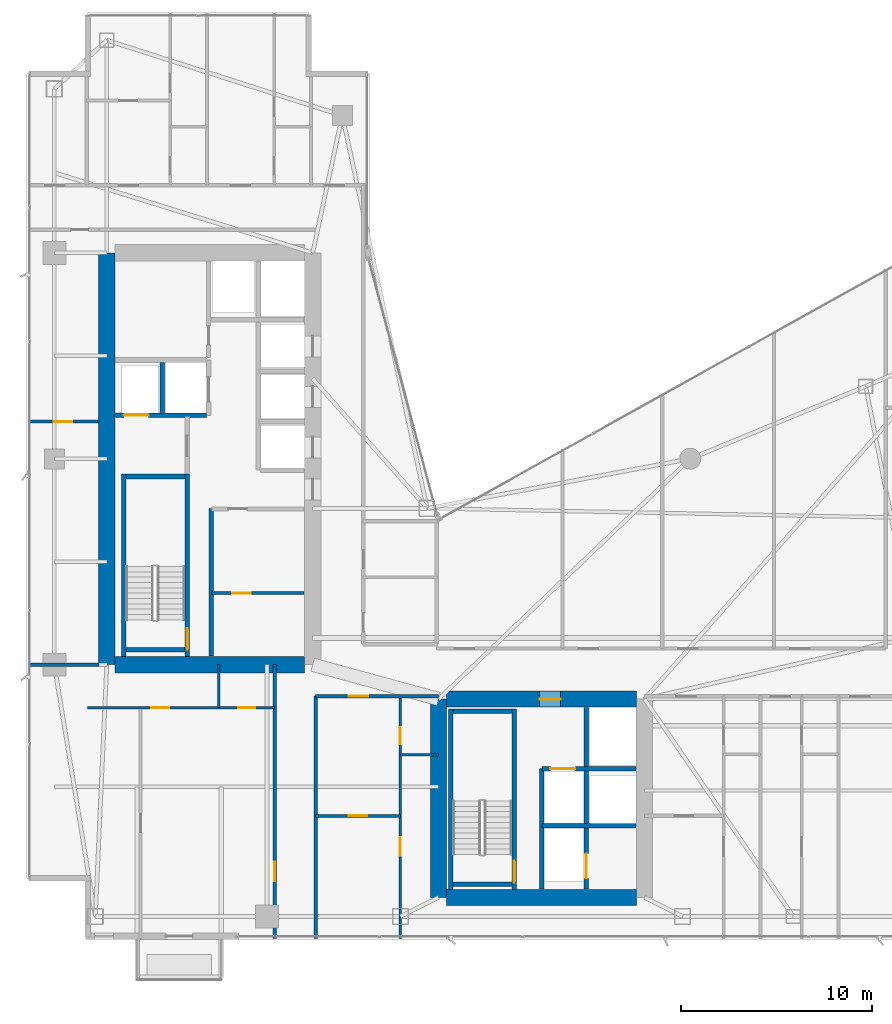
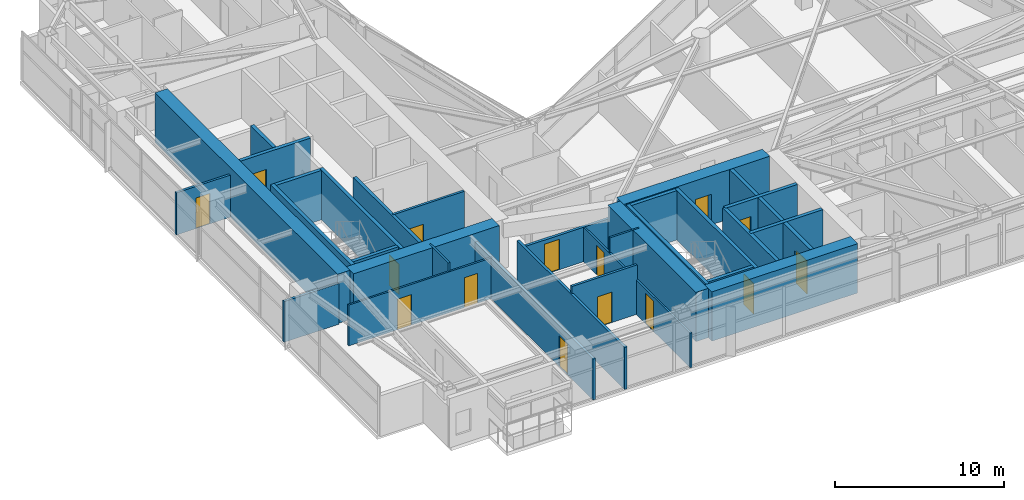
# One storey, part 22 of 29: 31 walls, 15 doors, 15 openings.
"""IFC4 building model written with IfcOpenShell, lengths in metres."""

import ifcopenshell
import ifcopenshell.guid

model = None  # the IFC model being written
_history = None  # IfcOwnerHistory: only IFC2X3 demands one
_inside = {}  # id of a spatial element -> (the spatial element, [elements in it])
_under = {}  # id of a project, library or spatial element -> (it, [spatial elements below it])
_declared = {}  # id of a project -> (the project, [libraries it declares])
_typed = {}  # id of a type object -> (the type object, [elements of that type])
_made_of = {}  # id of a material, layer set ... -> (it, [elements and type objects made of it])


def new_model(schema):
    """Start an empty IFC model of exactly this schema.

    Asked for "IFC4X3", IfcOpenShell would pick the latest addendum, in which some entities
    have other attributes; the version numbers below select the first issue.
    IFC2X3 requires an IfcOwnerHistory on every rooted entity: one is made here for all.
    """
    global model, _history
    if schema == "IFC4X3":
        model = ifcopenshell.file(schema_version=(4, 3, 0, 0))
    else:
        model = ifcopenshell.file(schema=schema)
    _inside.clear()
    _under.clear()
    _declared.clear()
    _typed.clear()
    _made_of.clear()
    _history = None
    if model.schema == "IFC2X3":
        org = make("IfcOrganization", Name="unknown")
        user = make(
            "IfcPersonAndOrganization",
            ThePerson=make("IfcPerson", FamilyName="unknown"),
            TheOrganization=org,
        )
        app = make(
            "IfcApplication",
            ApplicationDeveloper=org,
            Version="unknown",
            ApplicationFullName="unknown",
            ApplicationIdentifier="unknown",
        )
        _history = make(
            "IfcOwnerHistory",
            OwningUser=user,
            OwningApplication=app,
            ChangeAction="ADDED",
            CreationDate=0,
        )
    return model


def make(cls, **values):
    """One entity of the class cls with the attributes given. An attribute that is None is left unset."""
    return model.create_entity(
        cls, **{name: value for name, value in values.items() if value is not None}
    )


def rooted(cls, **values):
    """An entity with a GlobalId (a new one), such as an element, a storey or a relation."""
    return make(cls, GlobalId=ifcopenshell.guid.new(), OwnerHistory=_history, **values)


def si_unit(unit_type, name, prefix=None):
    """IfcSIUnit, for example si_unit("LENGTHUNIT", "METRE", prefix="MILLI")."""
    return make("IfcSIUnit", UnitType=unit_type, Prefix=prefix, Name=name)


def assignment(units):
    """IfcUnitAssignment: the units of a project."""
    return None if units is None else make("IfcUnitAssignment", Units=units)


def point(xyz):
    """IfcCartesianPoint."""
    return None if xyz is None else make("IfcCartesianPoint", Coordinates=xyz)


def direction(xyz):
    """IfcDirection."""
    return None if xyz is None else make("IfcDirection", DirectionRatios=xyz)


def frame(location, z_axis=None, x_axis=None):
    """IfcAxis2Placement3D, a coordinate frame: its origin and axes. An axis left out is left unset."""
    return make(
        "IfcAxis2Placement3D",
        Location=point(location),
        Axis=direction(z_axis),
        RefDirection=direction(x_axis),
    )


def frame_2d(location, x_axis=None):
    """IfcAxis2Placement2D, a coordinate frame in the plane: its origin and x axis."""
    return make(
        "IfcAxis2Placement2D", Location=point(location), RefDirection=direction(x_axis)
    )


def origin():
    """The frame at (0, 0, 0) with its axes left unset."""
    return frame((0.0, 0.0, 0.0))


def place(relative_to, where):
    """IfcLocalPlacement: puts the frame where relative to a parent placement (None: the world)."""
    return make(
        "IfcLocalPlacement", PlacementRelTo=relative_to, RelativePlacement=where
    )


def context(
    kind, dimensions, precision=None, world=None, true_north=None, identifier=None
):
    """IfcGeometricRepresentationContext, for example the 3D "Model" context."""
    return make(
        "IfcGeometricRepresentationContext",
        ContextIdentifier=identifier,
        ContextType=kind,
        CoordinateSpaceDimension=dimensions,
        Precision=precision,
        WorldCoordinateSystem=world,
        TrueNorth=true_north,
    )


def subcontext(parent, identifier, kind, view, scale=None):
    """IfcGeometricRepresentationSubContext, for example "Body" below "Model"."""
    return make(
        "IfcGeometricRepresentationSubContext",
        ContextIdentifier=identifier,
        ContextType=kind,
        ParentContext=parent,
        TargetScale=scale,
        TargetView=view,
    )


def project(units=None, contexts=None):
    """IfcProject with its units and contexts."""
    return rooted(
        "IfcProject",
        Name="project",
        RepresentationContexts=contexts,
        UnitsInContext=assignment(units),
    )


def spatial(cls, under=None, at=None, **own):
    """A site, building, storey or space (cls), placed at a placement, below another one or the project."""
    s = rooted(cls, ObjectPlacement=at, **own)
    if under is not None:
        _under.setdefault(under.id(), (under, []))[1].append(s)
    return s


def profile(cls, at=None, kind="AREA", **sizes):
    """A parametric profile (cls). Its sizes go by their IFC names, for example OverallWidth=200.0."""
    return make(cls, ProfileType=kind, Position=at, **sizes)


def rectangle(**sizes):
    """IfcRectangleProfileDef."""
    return profile("IfcRectangleProfileDef", **sizes)


def extrude(swept, where, along, depth):
    """IfcExtrudedAreaSolid: the profile swept, set in the frame where, extruded along a direction by depth."""
    return make(
        "IfcExtrudedAreaSolid",
        SweptArea=swept,
        Position=where,
        ExtrudedDirection=direction(along),
        Depth=depth,
    )


def shape(context_of_items, identifier, shape_type, items):
    """IfcShapeRepresentation: the items that make up one representation, for example the "Body"."""
    return make(
        "IfcShapeRepresentation",
        ContextOfItems=context_of_items,
        RepresentationIdentifier=identifier,
        RepresentationType=shape_type,
        Items=items,
    )


def material(Name=None, Category=None):
    """IfcMaterial."""
    return make("IfcMaterial", Name=Name, Category=Category)


def layer(
    of_material, thickness, ventilated=None, Name=None, Category=None, Priority=None
):
    """IfcMaterialLayer: one layer of a wall or slab, of a material (None: an air gap)."""
    return make(
        "IfcMaterialLayer",
        Material=of_material,
        LayerThickness=thickness,
        IsVentilated=ventilated,
        Name=Name,
        Category=Category,
        Priority=Priority,
    )


def layer_set(layers, Name=None):
    """IfcMaterialLayerSet."""
    return make("IfcMaterialLayerSet", MaterialLayers=layers, LayerSetName=Name)


def made_of(thing, what):
    """Note that an element or type object is made of a material, layer set ...; save() writes the relation."""
    if what is not None:
        _made_of.setdefault(what.id(), (what, []))[1].append(thing)
    return thing


def type_object(cls, material=None, **own):
    """A type object (cls), such as IfcWallType, which elements share."""
    return made_of(rooted(cls, **own), material)


def element(
    cls,
    number,
    at=None,
    inside=None,
    cuts=None,
    type_object=None,
    material=None,
    context=None,
    identifier="Body",
    shape_type=None,
    held_by="IfcProductDefinitionShape",
    body=None,
    shapes=None,
    **own,
):
    """One element of the class cls, such as IfcWall. Its Tag is "e" and its number.

    at: its placement. inside: the storey or other place that contains it. cuts: it is an
    opening in that element (IfcRelVoidsElement). A single representation is given by context,
    identifier, shape_type and body (its items); several are given by shapes. held_by: the class
    of the entity that holds the representations. save() writes the other relations.
    """
    e = rooted(cls, Tag="e%d" % number, ObjectPlacement=at, **own)
    if body is not None:
        shapes = [shape(context, identifier, shape_type, body)]
    if shapes is not None:
        e.Representation = make(held_by, Representations=shapes)
    if inside is not None:
        _inside.setdefault(inside.id(), (inside, []))[1].append(e)
    if cuts is not None:
        rooted(
            "IfcRelVoidsElement", RelatingBuildingElement=cuts, RelatedOpeningElement=e
        )
    if type_object is not None:
        _typed.setdefault(type_object.id(), (type_object, []))[1].append(e)
    return made_of(e, material)


def fill(opening, filler):
    """IfcRelFillsElement: the door or window that sits in an opening."""
    return rooted(
        "IfcRelFillsElement",
        RelatingOpeningElement=opening,
        RelatedBuildingElement=filler,
    )


def aggregate(whole, parts):
    """IfcRelAggregates: a whole, such as a stair, and the parts it consists of."""
    return rooted("IfcRelAggregates", RelatingObject=whole, RelatedObjects=parts)


def save(model, path):
    """Write the relations noted so far, then the file.

    IfcRelAggregates (storeys below a building ...), IfcRelContainedInSpatialStructure (elements
    in a storey), IfcRelDefinesByType, IfcRelAssociatesMaterial and IfcRelDeclares: one each for
    every whole, place, type object, material and project.
    """
    for whole, parts in _under.values():
        aggregate(whole, parts)
    for where, things in _inside.values():
        rooted(
            "IfcRelContainedInSpatialStructure",
            RelatedElements=things,
            RelatingStructure=where,
        )
    for kind, things in _typed.values():
        rooted("IfcRelDefinesByType", RelatedObjects=things, RelatingType=kind)
    for what, things in _made_of.values():
        rooted("IfcRelAssociatesMaterial", RelatedObjects=things, RelatingMaterial=what)
    for by, libraries in _declared.values():
        rooted("IfcRelDeclares", RelatingContext=by, RelatedDefinitions=libraries)
    model.write(path)


model = new_model("IFC4")

# Units and contexts
model_context = context("Model", 3, precision=1e-05, world=origin(), true_north=direction((0.0, 1.0)))
body_context = subcontext(model_context, "Body", "Model", "MODEL_VIEW")
ifc_project = project(units=[si_unit("LENGTHUNIT", "METRE"), si_unit("AREAUNIT", "SQUARE_METRE"), si_unit("VOLUMEUNIT", "CUBIC_METRE"), si_unit("PLANEANGLEUNIT", "RADIAN"), si_unit("MASSUNIT", "GRAM", prefix="KILO")], contexts=[model_context])

# Site, building, storey
site_placement = place(None, origin())
site = spatial("IfcSite", under=ifc_project, at=site_placement, CompositionType="ELEMENT")
building_placement = place(site_placement, origin())
building = spatial("IfcBuilding", under=site, at=building_placement, Name="Calvorn Quay Hotel", CompositionType="ELEMENT")
storey_placement = place(building_placement, frame((0.0, 0.0, 175.10009765625)))
storey = spatial("IfcBuildingStorey", under=building, at=storey_placement, Name="L43", CompositionType="ELEMENT", Elevation=175.10009765625)

# Walls
ifc_material_1 = material(Name="Concrete C50", Category="concrete")
ifc_layer_1 = layer(ifc_material_1, 0.85009765625)
ifc_layer_set_1 = layer_set([ifc_layer_1], Name="WL-CORE-850")
wall_type_1 = type_object("IfcWallType", Name="WL-CORE-850", PredefinedType="SHEAR", material=ifc_layer_set_1)
wall_1_placement = place(storey_placement, frame((4.199951171875, 16.800048828125, 0.0), z_axis=(0.0, 0.0, 1.0), x_axis=(0.0, 1.0, 0.0)))
element("IfcWall", 1, at=wall_1_placement, inside=storey, type_object=wall_type_1, Name="West Core Shear Wall W (L43)", PredefinedType="SHEAR", context=body_context, shape_type="SweptSolid", body=[
    extrude(rectangle(XDim=21.599853515625, YDim=0.85009765625, at=frame_2d((10.7998046875, 0.0))), origin(), (0.0, 0.0, 1.0), 3.559814453125),
])
wall_2_placement = place(storey_placement, frame((4.625, 16.800048828125, 0.0), z_axis=(0.0, 0.0, 1.0), x_axis=(1.0, 0.0, 0.0)))
element("IfcWall", 2, at=wall_2_placement, inside=storey, type_object=wall_type_1, Name="West Core Shear Wall S (L43)", PredefinedType="SHEAR", context=body_context, shape_type="SweptSolid", body=[
    extrude(rectangle(XDim=9.949951171875, YDim=0.85009765625, at=frame_2d((4.97509765625, 0.0))), origin(), (0.0, 0.0, 1.0), 3.559814453125),
])
wall_3_placement = place(storey_placement, frame((21.60009765625, 4.60009765625, 0.0), z_axis=(0.0, 0.0, 1.0), x_axis=(0.0, 1.0, 0.0)))
element("IfcWall", 3, at=wall_3_placement, inside=storey, type_object=wall_type_1, Name="East Core Shear Wall W (L43)", PredefinedType="SHEAR", context=body_context, shape_type="SweptSolid", body=[
    extrude(rectangle(XDim=10.39990234375, YDim=0.85009765625, at=frame_2d((5.199951171875, 0.0))), origin(), (0.0, 0.0, 1.0), 3.559814453125),
])

# Wall, opening, door
wall_4_placement = place(storey_placement, frame((22.02490234375, 15.0, 0.0), z_axis=(0.0, 0.0, 1.0), x_axis=(1.0, 0.0, 0.0)))
wall_4 = element("IfcWall", 4, at=wall_4_placement, inside=storey, type_object=wall_type_1, Name="East Core Shear Wall N (L43)", PredefinedType="SHEAR", context=body_context, shape_type="SweptSolid", body=[
    extrude(rectangle(XDim=9.9501953125, YDim=0.85009765625, at=frame_2d((4.97509765625, 0.0))), origin(), (0.0, 0.0, 1.0), 3.559814453125),
])
opening_1_placement = place(wall_4_placement, frame((4.8798828125, 0.0, 0.0)))
opening_1 = element("IfcOpeningElement", 5, at=opening_1_placement, cuts=wall_4, Name="Opening D-L43-FLE", PredefinedType="OPENING", context=body_context, shape_type="SweptSolid", body=[
    extrude(rectangle(XDim=1.10009765625, YDim=2.199951171875, at=frame_2d((0.550048828125, 1.10009765625))), frame((0.0, 0.43505859375, 0.0), z_axis=(0.0, -1.0, 0.0), x_axis=(1.0, 0.0, 0.0)), (0.0, 0.0, 1.0), 0.8701171875),
])
ifc_material_2 = material(Name="Smoke-Sealed Steel Class A Fire Door", Category="steel")
door_type_1 = type_object("IfcDoorType", Name="DR-FFLOBBY-1100", OperationType="NOTDEFINED", PredefinedType="DOOR", material=ifc_material_2)
door_1_placement = place(opening_1_placement, origin())
door_1 = element("IfcDoor", 6, at=door_1_placement, inside=storey, type_object=door_type_1, Name="East Firefighting Lobby Fire Door (L43)", OperationType="SINGLE_SWING_LEFT", OverallHeight=2.199951171875, OverallWidth=1.10009765625, PredefinedType="DOOR", context=body_context, shape_type="SweptSolid", body=[
    extrude(rectangle(XDim=1.10009765625, YDim=2.199951171875, at=frame_2d((0.550048828125, 1.10009765625))), frame((0.0, 0.02490234375, 0.0), z_axis=(0.0, -1.0, 0.0), x_axis=(1.0, 0.0, 0.0)), (0.0, 0.0, 1.0), 0.050048828125),
])
fill(opening_1, door_1)

# Walls
wall_5_placement = place(storey_placement, frame((22.02490234375, 4.60009765625, 0.0), z_axis=(0.0, 0.0, 1.0), x_axis=(1.0, 0.0, 0.0)))
element("IfcWall", 7, at=wall_5_placement, inside=storey, type_object=wall_type_1, Name="East Core Shear Wall S (L43)", PredefinedType="SHEAR", context=body_context, shape_type="SweptSolid", body=[
    extrude(rectangle(XDim=9.9501953125, YDim=0.85009765625, at=frame_2d((4.97509765625, 0.0))), origin(), (0.0, 0.0, 1.0), 3.559814453125),
])
ifc_material_3 = material(Name="Acoustic Fireboard Steel-Stud Partition", Category="steel")
ifc_layer_2 = layer(ifc_material_3, 0.179931640625)
ifc_layer_set_2 = layer_set([ifc_layer_2], Name="WL-CORR-FIRE-180")
wall_type_2 = type_object("IfcWallType", Name="WL-CORR-FIRE-180", PredefinedType="PARTITIONING", material=ifc_layer_set_2)
wall_6_placement = place(storey_placement, frame((0.080078125, 16.800048828125, 0.0), z_axis=(0.0, 0.0, 1.0), x_axis=(1.0, 0.0, 0.0)))
element("IfcWall", 8, at=wall_6_placement, inside=storey, type_object=wall_type_2, Name="Partition Wall L43-WL-WBAY-S-WALL", PredefinedType="PARTITIONING", context=body_context, shape_type="SweptSolid", body=[
    extrude(rectangle(XDim=3.724853515625, YDim=0.179931640625, at=frame_2d((1.8623046875, 0.0))), origin(), (0.0, 0.0, 1.0), 2.93994140625),
])

# Wall, opening, door
wall_7_placement = place(storey_placement, frame((13.0, 2.43994140625, 0.0), z_axis=(0.0, 0.0, 1.0), x_axis=(0.0, 1.0, 0.0)))
wall_7 = element("IfcWall", 9, at=wall_7_placement, inside=storey, type_object=wall_type_2, Name="Partition Wall L43-WL-CORR-SW-LEG-W", PredefinedType="PARTITIONING", context=body_context, shape_type="SweptSolid", body=[
    extrude(rectangle(XDim=14.360107421875, YDim=0.179931640625, at=frame_2d((7.18017578125, 0.0))), origin(), (0.0, 0.0, 1.0), 2.93994140625),
])
opening_2_placement = place(wall_7_placement, frame((3.010009765625, 0.0, 0.0)))
opening_2 = element("IfcOpeningElement", 10, at=opening_2_placement, cuts=wall_7, Name="Opening D-L43-U01", PredefinedType="OPENING", context=body_context, shape_type="SweptSolid", body=[
    extrude(rectangle(XDim=1.02001953125, YDim=2.199951171875, at=frame_2d((0.510009765625, 1.10009765625))), frame((0.0, 0.099853515625, 0.0), z_axis=(0.0, -1.0, 0.0), x_axis=(1.0, 0.0, 0.0)), (0.0, 0.0, 1.0), 0.199951171875),
])
ifc_material_4 = material(Name="Solid-Core Walnut Veneer Hotel Fire Door")
door_type_2 = type_object("IfcDoorType", Name="DR-GUEST-ENTRY-1020", OperationType="NOTDEFINED", PredefinedType="DOOR", material=ifc_material_4)
door_2_placement = place(opening_2_placement, origin())
door_2 = element("IfcDoor", 11, at=door_2_placement, inside=storey, type_object=door_type_2, Name="South-West Unit Door U01 (L43)", OperationType="SINGLE_SWING_LEFT", OverallHeight=2.199951171875, OverallWidth=1.02001953125, PredefinedType="DOOR", context=body_context, shape_type="SweptSolid", body=[
    extrude(rectangle(XDim=1.02001953125, YDim=2.199951171875, at=frame_2d((0.510009765625, 1.10009765625))), frame((0.0, 0.02490234375, 0.0), z_axis=(0.0, -1.0, 0.0), x_axis=(1.0, 0.0, 0.0)), (0.0, 0.0, 1.0), 0.050048828125),
])
fill(opening_2, door_2)

# Wall
wall_8_placement = place(storey_placement, frame((15.14990234375, 2.43994140625, 0.0), z_axis=(0.0, 0.0, 1.0), x_axis=(0.0, 1.0, 0.0)))
element("IfcWall", 12, at=wall_8_placement, inside=storey, type_object=wall_type_2, Name="Partition Wall L43-WL-CORR-SW-W", PredefinedType="PARTITIONING", context=body_context, shape_type="SweptSolid", body=[
    extrude(rectangle(XDim=12.7099609375, YDim=0.179931640625, at=frame_2d((6.35498046875, 0.0))), origin(), (0.0, 0.0, 1.0), 3.039794921875),
])

# Wall, opening, door
wall_9_placement = place(storey_placement, frame((15.14990234375, 15.14990234375, 0.0), z_axis=(0.0, 0.0, 1.0), x_axis=(1.0, 0.0, 0.0)))
wall_9 = element("IfcWall", 13, at=wall_9_placement, inside=storey, type_object=wall_type_2, Name="Partition Wall L43-WL-SC-CORR-S", PredefinedType="PARTITIONING", context=body_context, shape_type="SweptSolid", body=[
    extrude(rectangle(XDim=6.4501953125, YDim=0.179931640625, at=frame_2d((3.22509765625, 0.0))), origin(), (0.0, 0.0, 1.0), 2.489990234375),
])
opening_3_placement = place(wall_9_placement, frame((1.739990234375, 0.0, 0.0)))
opening_3 = element("IfcOpeningElement", 14, at=opening_3_placement, cuts=wall_9, Name="Opening D-L43-U02", PredefinedType="OPENING", context=body_context, shape_type="SweptSolid", body=[
    extrude(rectangle(XDim=1.02001953125, YDim=2.199951171875, at=frame_2d((0.510009765625, 1.10009765625))), frame((0.0, 0.099853515625, 0.0), z_axis=(0.0, -1.0, 0.0), x_axis=(1.0, 0.0, 0.0)), (0.0, 0.0, 1.0), 0.199951171875),
])
door_3_placement = place(opening_3_placement, origin())
door_3 = element("IfcDoor", 15, at=door_3_placement, inside=storey, type_object=door_type_2, Name="Harbour Central Unit Door (L43)", OperationType="SINGLE_SWING_LEFT", OverallHeight=2.199951171875, OverallWidth=1.02001953125, PredefinedType="DOOR", context=body_context, shape_type="SweptSolid", body=[
    extrude(rectangle(XDim=1.02001953125, YDim=2.199951171875, at=frame_2d((0.510009765625, 1.10009765625))), frame((0.0, 0.02490234375, 0.0), z_axis=(0.0, -1.0, 0.0), x_axis=(1.0, 0.0, 0.0)), (0.0, 0.0, 1.0), 0.050048828125),
])
fill(opening_3, door_3)

# Wall
ifc_material_5 = material(Name="Moisture-Resistant Tile-Backed Partition")
ifc_layer_3 = layer(ifc_material_5, 0.125)
ifc_layer_set_3 = layer_set([ifc_layer_3], Name="WL-ENSUITE-125")
wall_type_3 = type_object("IfcWallType", Name="WL-ENSUITE-125", PredefinedType="PARTITIONING", material=ifc_layer_set_3)
wall_10_placement = place(storey_placement, frame((10.080078125, 14.550048828125, 0.0), z_axis=(0.0, 0.0, 1.0), x_axis=(0.0, 1.0, 0.0)))
element("IfcWall", 16, at=wall_10_placement, inside=storey, type_object=wall_type_3, Name="Partition Wall L43-WL-U01-BDV", PredefinedType="PARTITIONING", context=body_context, shape_type="SweptSolid", body=[
    extrude(rectangle(XDim=2.25, YDim=0.125, at=frame_2d((1.125, 0.0))), origin(), (0.0, 0.0, 1.0), 3.559814453125),
])

# Wall, openings, doors
wall_11_placement = place(storey_placement, frame((3.199951171875, 14.550048828125, 0.0), z_axis=(0.0, 0.0, 1.0), x_axis=(1.0, 0.0, 0.0)))
wall_11 = element("IfcWall", 17, at=wall_11_placement, inside=storey, type_object=wall_type_3, Name="Partition Wall L43-WL-U01-BH", PredefinedType="PARTITIONING", context=body_context, shape_type="SweptSolid", body=[
    extrude(rectangle(XDim=9.800048828125, YDim=0.125, at=frame_2d((4.89990234375, 0.0))), origin(), (0.0, 0.0, 1.0), 2.93994140625),
])
opening_4_placement = place(wall_11_placement, frame((3.320068359375, 0.0, 0.0)))
opening_4 = element("IfcOpeningElement", 18, at=opening_4_placement, cuts=wall_11, Name="Opening D-L43-S01", PredefinedType="OPENING", context=body_context, shape_type="SweptSolid", body=[
    extrude(rectangle(XDim=0.9599609375, YDim=2.199951171875, at=frame_2d((0.47998046875, 1.10009765625))), frame((0.0, 0.072509765625, 0.0), z_axis=(0.0, -1.0, 0.0), x_axis=(1.0, 0.0, 0.0)), (0.0, 0.0, 1.0), 0.14501953125),
])
opening_5_placement = place(wall_11_placement, frame((7.889892578125, 0.0, 0.0)))
opening_5 = element("IfcOpeningElement", 19, at=opening_5_placement, cuts=wall_11, Name="Opening D-L43-E01", PredefinedType="OPENING", context=body_context, shape_type="SweptSolid", body=[
    extrude(rectangle(XDim=0.89990234375, YDim=2.14990234375, at=frame_2d((0.449951171875, 1.074951171875))), frame((0.0, 0.072509765625, 0.0), z_axis=(0.0, -1.0, 0.0), x_axis=(1.0, 0.0, 0.0)), (0.0, 0.0, 1.0), 0.14501953125),
])
ifc_material_6 = material(Name="Moisture-Sealed Timber En-Suite Door", Category="wood")
door_type_3 = type_object("IfcDoorType", Name="DR-ENSUITE-900", OperationType="NOTDEFINED", PredefinedType="DOOR", material=ifc_material_6)
door_4_placement = place(opening_5_placement, origin())
door_4 = element("IfcDoor", 20, at=door_4_placement, inside=storey, type_object=door_type_3, Name="En-Suite Door 01", OperationType="SINGLE_SWING_RIGHT", OverallHeight=2.14990234375, OverallWidth=0.89990234375, PredefinedType="DOOR", context=body_context, shape_type="SweptSolid", body=[
    extrude(rectangle(XDim=0.89990234375, YDim=2.14990234375, at=frame_2d((0.449951171875, 1.074951171875))), frame((0.0, 0.02490234375, 0.0), z_axis=(0.0, -1.0, 0.0), x_axis=(1.0, 0.0, 0.0)), (0.0, 0.0, 1.0), 0.050048828125),
])
fill(opening_5, door_4)
ifc_material_7 = material(Name="Solid Timber Internal Suite Door", Category="wood")
door_type_4 = type_object("IfcDoorType", Name="DR-SUITE-INT-960", OperationType="NOTDEFINED", PredefinedType="DOOR", material=ifc_material_7)
door_5_placement = place(opening_4_placement, origin())
door_5 = element("IfcDoor", 21, at=door_5_placement, inside=storey, type_object=door_type_4, Name="Curated Resort Boutique Door 01", OperationType="SINGLE_SWING_LEFT", OverallHeight=2.199951171875, OverallWidth=0.9599609375, PredefinedType="DOOR", context=body_context, shape_type="SweptSolid", body=[
    extrude(rectangle(XDim=0.9599609375, YDim=2.199951171875, at=frame_2d((0.47998046875, 1.10009765625))), frame((0.0, 0.02490234375, 0.0), z_axis=(0.0, -1.0, 0.0), x_axis=(1.0, 0.0, 0.0)), (0.0, 0.0, 1.0), 0.050048828125),
])
fill(opening_4, door_5)

# Wall
wall_12_placement = place(storey_placement, frame((19.60009765625, 12.070068359375, 0.0), z_axis=(0.0, 0.0, 1.0), x_axis=(1.0, 0.0, 0.0)))
element("IfcWall", 22, at=wall_12_placement, inside=storey, type_object=wall_type_3, Name="Partition Wall L43-WL-U02-BDV", PredefinedType="PARTITIONING", context=body_context, shape_type="SweptSolid", body=[
    extrude(rectangle(XDim=2.0, YDim=0.125, at=frame_2d((1.0, 0.0))), origin(), (0.0, 0.0, 1.0), 3.559814453125),
])

# Wall, openings, doors
wall_13_placement = place(storey_placement, frame((19.60009765625, 2.43994140625, 0.0), z_axis=(0.0, 0.0, 1.0), x_axis=(0.0, 1.0, 0.0)))
wall_13 = element("IfcWall", 23, at=wall_13_placement, inside=storey, type_object=wall_type_3, Name="Partition Wall L43-WL-U02-BV", PredefinedType="PARTITIONING", context=body_context, shape_type="SweptSolid", body=[
    extrude(rectangle(XDim=12.7099609375, YDim=0.125, at=frame_2d((6.35498046875, 0.0))), origin(), (0.0, 0.0, 1.0), 2.489990234375),
])
opening_6_placement = place(wall_13_placement, frame((4.340087890625, 0.0, 0.0)))
opening_6 = element("IfcOpeningElement", 24, at=opening_6_placement, cuts=wall_13, Name="Opening D-L43-S02", PredefinedType="OPENING", context=body_context, shape_type="SweptSolid", body=[
    extrude(rectangle(XDim=0.9599609375, YDim=2.199951171875, at=frame_2d((0.47998046875, 1.10009765625))), frame((0.0, 0.072509765625, 0.0), z_axis=(0.0, -1.0, 0.0), x_axis=(1.0, 0.0, 0.0)), (0.0, 0.0, 1.0), 0.14501953125),
])
opening_7_placement = place(wall_13_placement, frame((10.179931640625, 0.0, 0.0)))
opening_7 = element("IfcOpeningElement", 25, at=opening_7_placement, cuts=wall_13, Name="Opening D-L43-E02", PredefinedType="OPENING", context=body_context, shape_type="SweptSolid", body=[
    extrude(rectangle(XDim=0.89990234375, YDim=2.14990234375, at=frame_2d((0.449951171875, 1.074951171875))), frame((0.0, 0.072509765625, 0.0), z_axis=(0.0, -1.0, 0.0), x_axis=(1.0, 0.0, 0.0)), (0.0, 0.0, 1.0), 0.14501953125),
])
door_6_placement = place(opening_7_placement, origin())
door_6 = element("IfcDoor", 26, at=door_6_placement, inside=storey, type_object=door_type_3, Name="En-Suite Door 02", OperationType="SINGLE_SWING_RIGHT", OverallHeight=2.14990234375, OverallWidth=0.89990234375, PredefinedType="DOOR", context=body_context, shape_type="SweptSolid", body=[
    extrude(rectangle(XDim=0.89990234375, YDim=2.14990234375, at=frame_2d((0.449951171875, 1.074951171875))), frame((0.0, 0.02490234375, 0.0), z_axis=(0.0, -1.0, 0.0), x_axis=(1.0, 0.0, 0.0)), (0.0, 0.0, 1.0), 0.050048828125),
])
fill(opening_7, door_6)
door_7_placement = place(opening_6_placement, origin())
door_7 = element("IfcDoor", 27, at=door_7_placement, inside=storey, type_object=door_type_4, Name="Curated Resort Boutique Door 02", OperationType="SINGLE_SWING_LEFT", OverallHeight=2.199951171875, OverallWidth=0.9599609375, PredefinedType="DOOR", context=body_context, shape_type="SweptSolid", body=[
    extrude(rectangle(XDim=0.9599609375, YDim=2.199951171875, at=frame_2d((0.47998046875, 1.10009765625))), frame((0.0, 0.02490234375, 0.0), z_axis=(0.0, -1.0, 0.0), x_axis=(1.0, 0.0, 0.0)), (0.0, 0.0, 1.0), 0.050048828125),
])
fill(opening_6, door_7)

# Wall, opening, door
ifc_material_8 = material(Name="Double-Stud Acoustic Gypsum Partition")
ifc_layer_4 = layer(ifc_material_8, 0.159912109375)
ifc_layer_set_4 = layer_set([ifc_layer_4], Name="WL-INTERSUITE-160")
wall_type_4 = type_object("IfcWallType", Name="WL-INTERSUITE-160", PredefinedType="PARTITIONING", material=ifc_layer_set_4)
wall_14_placement = place(storey_placement, frame((9.679931640625, 20.550048828125, 0.0), z_axis=(0.0, 0.0, 1.0), x_axis=(1.0, 0.0, 0.0)))
wall_14 = element("IfcWall", 28, at=wall_14_placement, inside=storey, type_object=wall_type_4, Name="Partition Wall L43-WL-CWW-FR-SPLIT", PredefinedType="PARTITIONING", context=body_context, shape_type="SweptSolid", body=[
    extrude(rectangle(XDim=4.875, YDim=0.159912109375, at=frame_2d((2.4375, 0.0))), origin(), (0.0, 0.0, 1.0), 3.559814453125),
])
opening_8_placement = place(wall_14_placement, frame((1.10009765625, 0.0, 0.0)))
opening_8 = element("IfcOpeningElement", 29, at=opening_8_placement, cuts=wall_14, Name="Opening D-L43-FRL1", PredefinedType="OPENING", context=body_context, shape_type="SweptSolid", body=[
    extrude(rectangle(XDim=0.97998046875, YDim=2.14990234375, at=frame_2d((0.489990234375, 1.074951171875))), frame((0.0, 0.08984375, 0.0), z_axis=(0.0, -1.0, 0.0), x_axis=(1.0, 0.0, 0.0)), (0.0, 0.0, 1.0), 0.179931640625),
])
ifc_material_9 = material(Name="Painted Steel Housekeeping/Riser Fire Door", Category="steel")
door_type_5 = type_object("IfcDoorType", Name="DR-SERVICE-980", OperationType="NOTDEFINED", PredefinedType="DOOR", material=ifc_material_9)
door_8_placement = place(opening_8_placement, origin())
door_8 = element("IfcDoor", 30, at=door_8_placement, inside=storey, type_object=door_type_5, Name="Linen Store Room Door (L43)", OperationType="SINGLE_SWING_LEFT", OverallHeight=2.14990234375, OverallWidth=0.97998046875, PredefinedType="DOOR", context=body_context, shape_type="SweptSolid", body=[
    extrude(rectangle(XDim=0.97998046875, YDim=2.14990234375, at=frame_2d((0.489990234375, 1.074951171875))), frame((0.0, 0.02490234375, 0.0), z_axis=(0.0, -1.0, 0.0), x_axis=(1.0, 0.0, 0.0)), (0.0, 0.0, 1.0), 0.050048828125),
])
fill(opening_8, door_8)

wall_15_placement = place(storey_placement, frame((0.080078125, 29.550048828125, 0.0), z_axis=(0.0, 0.0, 1.0), x_axis=(1.0, 0.0, 0.0)))
wall_15 = element("IfcWall", 31, at=wall_15_placement, inside=storey, type_object=wall_type_4, Name="Partition Wall L43-WL-WBAY-DIV", PredefinedType="PARTITIONING", context=body_context, shape_type="SweptSolid", body=[
    extrude(rectangle(XDim=3.724853515625, YDim=0.159912109375, at=frame_2d((1.8623046875, 0.0))), origin(), (0.0, 0.0, 1.0), 3.039794921875),
])
opening_9_placement = place(wall_15_placement, frame((1.35009765625, 0.0, 0.0)))
opening_9 = element("IfcOpeningElement", 32, at=opening_9_placement, cuts=wall_15, Name="Opening D-L43-WBD", PredefinedType="OPENING", context=body_context, shape_type="SweptSolid", body=[
    extrude(rectangle(XDim=0.9599609375, YDim=2.199951171875, at=frame_2d((0.47998046875, 1.10009765625))), frame((0.0, 0.08984375, 0.0), z_axis=(0.0, -1.0, 0.0), x_axis=(1.0, 0.0, 0.0)), (0.0, 0.0, 1.0), 0.179931640625),
])
door_9_placement = place(opening_9_placement, origin())
door_9 = element("IfcDoor", 33, at=door_9_placement, inside=storey, type_object=door_type_4, Name="West Bay Connecting Door (L43)", OperationType="SINGLE_SWING_LEFT", OverallHeight=2.199951171875, OverallWidth=0.9599609375, PredefinedType="DOOR", context=body_context, shape_type="SweptSolid", body=[
    extrude(rectangle(XDim=0.9599609375, YDim=2.199951171875, at=frame_2d((0.47998046875, 1.10009765625))), frame((0.0, 0.02490234375, 0.0), z_axis=(0.0, -1.0, 0.0), x_axis=(1.0, 0.0, 0.0)), (0.0, 0.0, 1.0), 0.050048828125),
])
fill(opening_9, door_9)

wall_16_placement = place(storey_placement, frame((15.14990234375, 8.8701171875, 0.0), z_axis=(0.0, 0.0, 1.0), x_axis=(1.0, 0.0, 0.0)))
wall_16 = element("IfcWall", 34, at=wall_16_placement, inside=storey, type_object=wall_type_4, Name="Partition Wall L43-WL-U02-MSP", PredefinedType="PARTITIONING", context=body_context, shape_type="SweptSolid", body=[
    extrude(rectangle(XDim=4.4501953125, YDim=0.159912109375, at=frame_2d((2.22509765625, 0.0))), origin(), (0.0, 0.0, 1.0), 3.559814453125),
])
opening_10_placement = place(wall_16_placement, frame((1.75, 0.0, 0.0)))
opening_10 = element("IfcOpeningElement", 35, at=opening_10_placement, cuts=wall_16, Name="Opening D-L43-M02", PredefinedType="OPENING", context=body_context, shape_type="SweptSolid", body=[
    extrude(rectangle(XDim=0.9599609375, YDim=2.199951171875, at=frame_2d((0.47998046875, 1.10009765625))), frame((0.0, 0.08984375, 0.0), z_axis=(0.0, -1.0, 0.0), x_axis=(1.0, 0.0, 0.0)), (0.0, 0.0, 1.0), 0.179931640625),
])
door_10_placement = place(opening_10_placement, origin())
door_10 = element("IfcDoor", 36, at=door_10_placement, inside=storey, type_object=door_type_4, Name="Suite Bedroom Door 02", OperationType="SINGLE_SWING_LEFT", OverallHeight=2.199951171875, OverallWidth=0.9599609375, PredefinedType="DOOR", context=body_context, shape_type="SweptSolid", body=[
    extrude(rectangle(XDim=0.9599609375, YDim=2.199951171875, at=frame_2d((0.47998046875, 1.10009765625))), frame((0.0, 0.02490234375, 0.0), z_axis=(0.0, -1.0, 0.0), x_axis=(1.0, 0.0, 0.0)), (0.0, 0.0, 1.0), 0.050048828125),
])
fill(opening_10, door_10)

# Walls
ifc_material_10 = material(Name="Autoclaved Aerated Masonry Block", Category="masonry")
ifc_layer_5 = layer(ifc_material_10, 0.219970703125)
ifc_layer_set_5 = layer_set([ifc_layer_5], Name="WL-LOBBY-FIRE-220")
wall_type_5 = type_object("IfcWallType", Name="WL-LOBBY-FIRE-220", PredefinedType="SOLIDWALL", material=ifc_layer_set_5)
wall_17_placement = place(storey_placement, frame((9.679931640625, 17.2451171875, 0.0), z_axis=(0.0, 0.0, 1.0), x_axis=(0.0, 1.0, 0.0)))
element("IfcWall", 37, at=wall_17_placement, inside=storey, type_object=wall_type_5, Name="Partition Wall L43-WL-CWW-STW-HALL-E", PredefinedType="SOLIDWALL", context=body_context, shape_type="SweptSolid", body=[
    extrude(rectangle(XDim=7.7548828125, YDim=0.219970703125, at=frame_2d((3.87744140625, 0.0))), origin(), (0.0, 0.0, 1.0), 3.559814453125),
])
ifc_material_11 = material(Name="Concrete C40", Category="concrete")
ifc_layer_6 = layer(ifc_material_11, 0.239990234375)
ifc_layer_set_6 = layer_set([ifc_layer_6], Name="WL-SHAFT-240")
wall_type_6 = type_object("IfcWallType", Name="WL-SHAFT-240", PredefinedType="SOLIDWALL", material=ifc_layer_set_6)
wall_18_placement = place(storey_placement, frame((5.080078125, 17.22509765625, 0.0), z_axis=(0.0, 0.0, 1.0), x_axis=(0.0, 1.0, 0.0)))
element("IfcWall", 38, at=wall_18_placement, inside=storey, type_object=wall_type_6, Name="Stair STW Shaft Wall W (L43)", PredefinedType="SOLIDWALL", context=body_context, shape_type="SweptSolid", body=[
    extrude(rectangle(XDim=9.56494140625, YDim=0.239990234375, at=frame_2d((4.782470703125, 0.0))), origin(), (0.0, 0.0, 1.0), 3.559814453125),
])

# Wall, opening, door
wall_19_placement = place(storey_placement, frame((8.419921875, 17.22509765625, 0.0), z_axis=(0.0, 0.0, 1.0), x_axis=(0.0, 1.0, 0.0)))
wall_19 = element("IfcWall", 39, at=wall_19_placement, inside=storey, type_object=wall_type_6, Name="Stair STW Shaft Wall E (L43)", PredefinedType="SOLIDWALL", context=body_context, shape_type="SweptSolid", body=[
    extrude(rectangle(XDim=9.56494140625, YDim=0.239990234375, at=frame_2d((4.782470703125, 0.0))), origin(), (0.0, 0.0, 1.0), 3.559814453125),
])
opening_11_placement = place(wall_19_placement, frame((0.35009765625, 0.0, 0.0)))
opening_11 = element("IfcOpeningElement", 40, at=opening_11_placement, cuts=wall_19, Name="Opening D-L43-STW", PredefinedType="OPENING", context=body_context, shape_type="SweptSolid", body=[
    extrude(rectangle(XDim=1.14990234375, YDim=2.199951171875, at=frame_2d((0.574951171875, 1.10009765625))), frame((0.0, 0.1298828125, 0.0), z_axis=(0.0, -1.0, 0.0), x_axis=(1.0, 0.0, 0.0)), (0.0, 0.0, 1.0), 0.260009765625),
])
ifc_material_12 = material(Name="Galvanised Steel Class A Fire Door", Category="steel")
door_type_6 = type_object("IfcDoorType", Name="DR-STAIR-SMOKE-1150", OperationType="NOTDEFINED", PredefinedType="DOOR", material=ifc_material_12)
door_11_placement = place(opening_11_placement, origin())
door_11 = element("IfcDoor", 41, at=door_11_placement, inside=storey, type_object=door_type_6, Name="Stair ST-W Fire Door (L43)", OperationType="SINGLE_SWING_LEFT", OverallHeight=2.199951171875, OverallWidth=1.14990234375, PredefinedType="DOOR", context=body_context, shape_type="SweptSolid", body=[
    extrude(rectangle(XDim=1.14990234375, YDim=2.199951171875, at=frame_2d((0.574951171875, 1.10009765625))), frame((0.0, 0.02490234375, 0.0), z_axis=(0.0, -1.0, 0.0), x_axis=(1.0, 0.0, 0.0)), (0.0, 0.0, 1.0), 0.050048828125),
])
fill(opening_11, door_11)

# Walls
for number, where, z_axis, x_axis, name in (
    (42, (5.199951171875, 17.580078125, 0.0), (0.0, 0.0, 1.0), (1.0, 0.0, 0.0), "Stair STW Shaft Wall S (L43)"),
    (43, (5.199951171875, 26.669921875, 0.0), (0.0, 0.0, 1.0), (1.0, 0.0, 0.0), "Stair STW Shaft Wall N (L43)"),
):
    element("IfcWall", number, at=place(storey_placement, frame(where, z_axis=z_axis, x_axis=x_axis)), inside=storey, type_object=wall_type_6, Name=name, PredefinedType="SOLIDWALL", context=body_context, shape_type="SweptSolid", body=[
        extrude(rectangle(XDim=3.10009765625, YDim=0.239990234375, at=frame_2d((1.550048828125, 0.0))), origin(), (0.0, 0.0, 1.0), 3.559814453125),
    ])
wall_20_placement = place(storey_placement, frame((22.22998046875, 5.02490234375, 0.0), z_axis=(0.0, 0.0, 1.0), x_axis=(0.0, 1.0, 0.0)))
element("IfcWall", 44, at=wall_20_placement, inside=storey, type_object=wall_type_6, Name="Stair STE Shaft Wall W (L43)", PredefinedType="SOLIDWALL", context=body_context, shape_type="SweptSolid", body=[
    extrude(rectangle(XDim=9.465087890625, YDim=0.239990234375, at=frame_2d((4.732421875, 0.0))), origin(), (0.0, 0.0, 1.0), 3.559814453125),
])

# Wall, opening, door
wall_21_placement = place(storey_placement, frame((25.570068359375, 5.02490234375, 0.0), z_axis=(0.0, 0.0, 1.0), x_axis=(0.0, 1.0, 0.0)))
wall_21 = element("IfcWall", 45, at=wall_21_placement, inside=storey, type_object=wall_type_6, Name="Stair STE Shaft Wall E (L43)", PredefinedType="SOLIDWALL", context=body_context, shape_type="SweptSolid", body=[
    extrude(rectangle(XDim=9.465087890625, YDim=0.239990234375, at=frame_2d((4.732421875, 0.0))), origin(), (0.0, 0.0, 1.0), 3.559814453125),
])
opening_12_placement = place(wall_21_placement, frame((0.35009765625, 0.0, 0.0)))
opening_12 = element("IfcOpeningElement", 46, at=opening_12_placement, cuts=wall_21, Name="Opening D-L43-STE", PredefinedType="OPENING", context=body_context, shape_type="SweptSolid", body=[
    extrude(rectangle(XDim=1.14990234375, YDim=2.199951171875, at=frame_2d((0.574951171875, 1.10009765625))), frame((0.0, 0.1298828125, 0.0), z_axis=(0.0, -1.0, 0.0), x_axis=(1.0, 0.0, 0.0)), (0.0, 0.0, 1.0), 0.260009765625),
])
door_12_placement = place(opening_12_placement, origin())
door_12 = element("IfcDoor", 47, at=door_12_placement, inside=storey, type_object=door_type_6, Name="Stair ST-E Fire Door (L43)", OperationType="SINGLE_SWING_RIGHT", OverallHeight=2.199951171875, OverallWidth=1.14990234375, PredefinedType="DOOR", context=body_context, shape_type="SweptSolid", body=[
    extrude(rectangle(XDim=1.14990234375, YDim=2.199951171875, at=frame_2d((0.574951171875, 1.10009765625))), frame((0.0, 0.02490234375, 0.0), z_axis=(0.0, -1.0, 0.0), x_axis=(1.0, 0.0, 0.0)), (0.0, 0.0, 1.0), 0.050048828125),
])
fill(opening_12, door_12)

# Walls
for number, where, z_axis, x_axis, name in (
    (48, (22.35009765625, 5.280029296875, 0.0), (0.0, 0.0, 1.0), (1.0, 0.0, 0.0), "Stair STE Shaft Wall S (L43)"),
    (49, (22.35009765625, 14.3701171875, 0.0), (0.0, 0.0, 1.0), (1.0, 0.0, 0.0), "Stair STE Shaft Wall N (L43)"),
):
    element("IfcWall", number, at=place(storey_placement, frame(where, z_axis=z_axis, x_axis=x_axis)), inside=storey, type_object=wall_type_6, Name=name, PredefinedType="SOLIDWALL", context=body_context, shape_type="SweptSolid", body=[
        extrude(rectangle(XDim=3.099853515625, YDim=0.239990234375, at=frame_2d((1.5498046875, 0.0))), origin(), (0.0, 0.0, 1.0), 3.559814453125),
    ])

# Wall, opening, door
wall_22_placement = place(storey_placement, frame((4.64501953125, 29.8798828125, 0.0), z_axis=(0.0, 0.0, 1.0), x_axis=(1.0, 0.0, 0.0)))
wall_22 = element("IfcWall", 50, at=wall_22_placement, inside=storey, type_object=wall_type_6, Name="Partition Wall L43-WL-CWW-FLW-S", PredefinedType="SOLIDWALL", context=body_context, shape_type="SweptSolid", body=[
    extrude(rectangle(XDim=4.77490234375, YDim=0.239990234375, at=frame_2d((2.387451171875, 0.0))), origin(), (0.0, 0.0, 1.0), 3.559814453125),
])
opening_13_placement = place(wall_22_placement, frame((0.449951171875, 0.0, 0.0)))
opening_13 = element("IfcOpeningElement", 51, at=opening_13_placement, cuts=wall_22, Name="Opening LD-L43-FLW1", PredefinedType="OPENING", context=body_context, shape_type="SweptSolid", body=[
    extrude(rectangle(XDim=1.300048828125, YDim=2.35009765625, at=frame_2d((0.64990234375, 1.175048828125))), frame((0.0, 0.1298828125, 0.0), z_axis=(0.0, -1.0, 0.0), x_axis=(1.0, 0.0, 0.0)), (0.0, 0.0, 1.0), 0.260009765625),
])
ifc_material_13 = material(Name="Champagne-Bronze Sliding Express Lift Landing Door")
door_type_7 = type_object("IfcDoorType", Name="DR-LIFT-SHUTTLE-1300", OperationType="NOTDEFINED", PredefinedType="DOOR", material=ifc_material_13)
door_13_placement = place(opening_13_placement, origin())
door_13 = element("IfcDoor", 52, at=door_13_placement, inside=storey, type_object=door_type_7, Name="Firefighting Lift FL-W1 Landing Door (L43)", OperationType="DOUBLE_DOOR_SLIDING", OverallHeight=2.35009765625, OverallWidth=1.300048828125, PredefinedType="DOOR", context=body_context, shape_type="SweptSolid", body=[
    extrude(rectangle(XDim=1.300048828125, YDim=2.35009765625, at=frame_2d((0.64990234375, 1.175048828125))), frame((0.0, 0.02490234375, 0.0), z_axis=(0.0, -1.0, 0.0), x_axis=(1.0, 0.0, 0.0)), (0.0, 0.0, 1.0), 0.050048828125),
])
fill(opening_13, door_13)

# Walls
wall_23_placement = place(storey_placement, frame((7.10009765625, 30.02001953125, 0.0), z_axis=(0.0, 0.0, 1.0), x_axis=(0.0, 1.0, 0.0)))
element("IfcWall", 53, at=wall_23_placement, inside=storey, type_object=wall_type_6, Name="Partition Wall L43-WL-CWW-FLW-DIV", PredefinedType="SOLIDWALL", context=body_context, shape_type="SweptSolid", body=[
    extrude(rectangle(XDim=2.6298828125, YDim=0.239990234375, at=frame_2d((1.31494140625, 0.0))), origin(), (0.0, 0.0, 1.0), 3.559814453125),
])
wall_24_placement = place(storey_placement, frame((27.02001953125, 5.044921875, 0.0), z_axis=(0.0, 0.0, 1.0), x_axis=(0.0, 1.0, 0.0)))
element("IfcWall", 54, at=wall_24_placement, inside=storey, type_object=wall_type_6, Name="Partition Wall L43-WL-CWE-SH-W", PredefinedType="SOLIDWALL", context=body_context, shape_type="SweptSolid", body=[
    extrude(rectangle(XDim=6.30517578125, YDim=0.239990234375, at=frame_2d((3.152587890625, 0.0))), origin(), (0.0, 0.0, 1.0), 3.559814453125),
])

# Wall, opening, door
wall_25_placement = place(storey_placement, frame((27.02001953125, 11.35009765625, 0.0), z_axis=(0.0, 0.0, 1.0), x_axis=(1.0, 0.0, 0.0)))
wall_25 = element("IfcWall", 55, at=wall_25_placement, inside=storey, type_object=wall_type_6, Name="Partition Wall L43-WL-CWE-FFL-S", PredefinedType="SOLIDWALL", context=body_context, shape_type="SweptSolid", body=[
    extrude(rectangle(XDim=4.93505859375, YDim=0.239990234375, at=frame_2d((2.467529296875, 0.0))), origin(), (0.0, 0.0, 1.0), 3.559814453125),
])
opening_14_placement = place(wall_25_placement, frame((0.449951171875, 0.0, 0.0)))
opening_14 = element("IfcOpeningElement", 56, at=opening_14_placement, cuts=wall_25, Name="Opening LD-L43-FLE1", PredefinedType="OPENING", context=body_context, shape_type="SweptSolid", body=[
    extrude(rectangle(XDim=1.300048828125, YDim=2.35009765625, at=frame_2d((0.64990234375, 1.175048828125))), frame((0.0, 0.1298828125, 0.0), z_axis=(0.0, -1.0, 0.0), x_axis=(1.0, 0.0, 0.0)), (0.0, 0.0, 1.0), 0.260009765625),
])
door_14_placement = place(opening_14_placement, origin())
door_14 = element("IfcDoor", 57, at=door_14_placement, inside=storey, type_object=door_type_7, Name="Firefighting Lift FL-E1 Landing Door (L43)", OperationType="DOUBLE_DOOR_SLIDING", OverallHeight=2.35009765625, OverallWidth=1.300048828125, PredefinedType="DOOR", context=body_context, shape_type="SweptSolid", body=[
    extrude(rectangle(XDim=1.300048828125, YDim=2.35009765625, at=frame_2d((0.64990234375, 1.175048828125))), frame((0.0, 0.02490234375, 0.0), z_axis=(0.0, -1.0, 0.0), x_axis=(1.0, 0.0, 0.0)), (0.0, 0.0, 1.0), 0.050048828125),
])
fill(opening_14, door_14)

# Wall
wall_26_placement = place(storey_placement, frame((27.02001953125, 8.35009765625, 0.0), z_axis=(0.0, 0.0, 1.0), x_axis=(1.0, 0.0, 0.0)))
element("IfcWall", 58, at=wall_26_placement, inside=storey, type_object=wall_type_6, Name="Partition Wall L43-WL-CWE-SL-N", PredefinedType="SOLIDWALL", context=body_context, shape_type="SweptSolid", body=[
    extrude(rectangle(XDim=4.93505859375, YDim=0.239990234375, at=frame_2d((2.467529296875, 0.0))), origin(), (0.0, 0.0, 1.0), 3.559814453125),
])

# Wall, opening, door
wall_27_placement = place(storey_placement, frame((29.35009765625, 5.044921875, 0.0), z_axis=(0.0, 0.0, 1.0), x_axis=(0.0, 1.0, 0.0)))
wall_27 = element("IfcWall", 59, at=wall_27_placement, inside=storey, type_object=wall_type_6, Name="Partition Wall L43-WL-CWE-OB-W", PredefinedType="SOLIDWALL", context=body_context, shape_type="SweptSolid", body=[
    extrude(rectangle(XDim=9.510009765625, YDim=0.239990234375, at=frame_2d((4.7548828125, 0.0))), origin(), (0.0, 0.0, 1.0), 3.559814453125),
])
opening_15_placement = place(wall_27_placement, frame((0.550048828125, 0.0, 0.0)))
opening_15 = element("IfcOpeningElement", 60, at=opening_15_placement, cuts=wall_27, Name="Opening LD-L43-SLEI", PredefinedType="OPENING", context=body_context, shape_type="SweptSolid", body=[
    extrude(rectangle(XDim=1.300048828125, YDim=2.35009765625, at=frame_2d((0.64990234375, 1.175048828125))), frame((0.0, 0.1298828125, 0.0), z_axis=(0.0, -1.0, 0.0), x_axis=(1.0, 0.0, 0.0)), (0.0, 0.0, 1.0), 0.260009765625),
])
door_15_placement = place(opening_15_placement, origin())
door_15 = element("IfcDoor", 61, at=door_15_placement, inside=storey, type_object=door_type_7, Name="Service Lift SL-E1 Landing Door (L43)", OperationType="DOUBLE_DOOR_SLIDING", OverallHeight=2.35009765625, OverallWidth=1.300048828125, PredefinedType="DOOR", context=body_context, shape_type="SweptSolid", body=[
    extrude(rectangle(XDim=1.300048828125, YDim=2.35009765625, at=frame_2d((0.64990234375, 1.175048828125))), frame((0.0, 0.02490234375, 0.0), z_axis=(0.0, -1.0, 0.0), x_axis=(1.0, 0.0, 0.0)), (0.0, 0.0, 1.0), 0.050048828125),
])
fill(opening_15, door_15)

save(model, "model.ifc")
